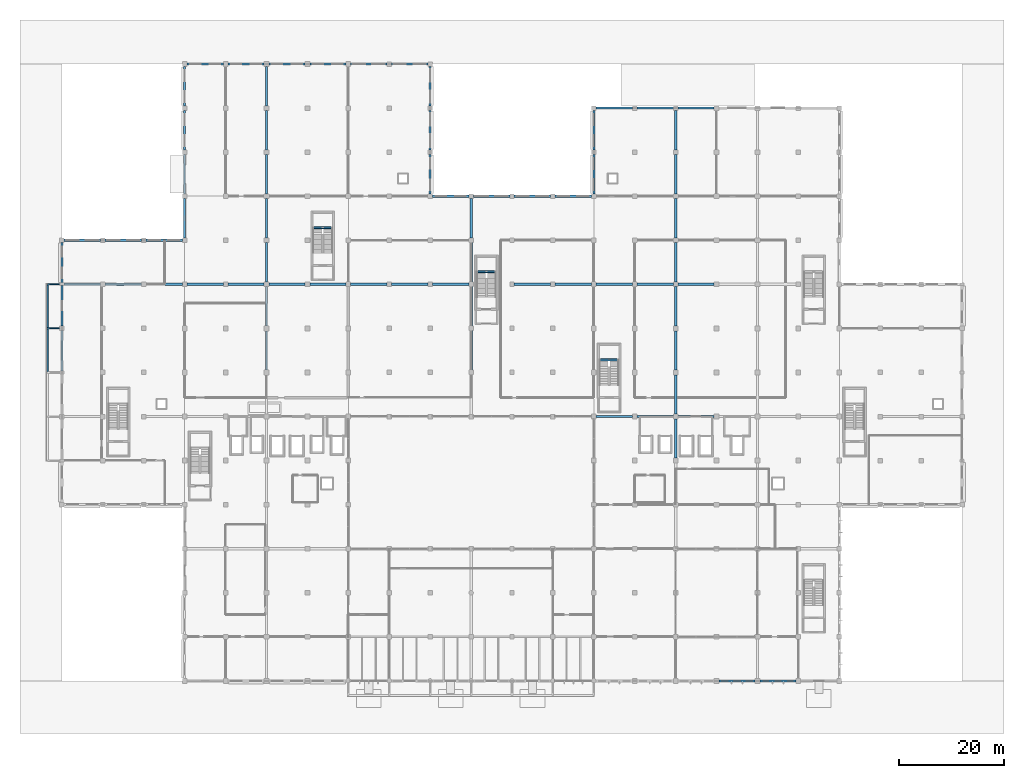
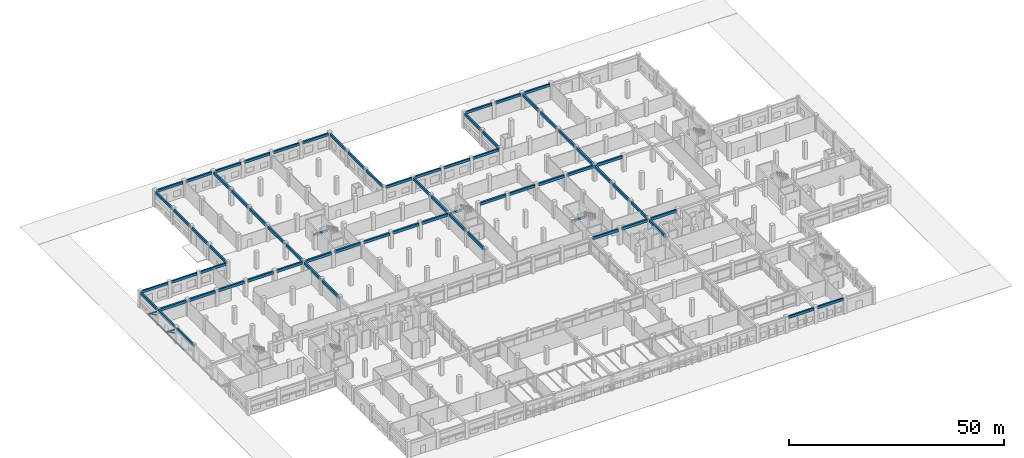
# One storey, part 32 of 74: 74 beams, 2 members.
"""IFC4 building model written with IfcOpenShell, lengths in metres."""

from ifc_helpers import new_model, si_unit, direction, frame, origin, origin_2d, place, context, subcontext, project, spatial, rectangle, hollow_rectangle, hollow_circle, i_section, extrude, material, material_profile, profile_set, type_object, element, save


model = new_model("IFC4")

# Units and contexts
model_context = context("Model", 3, precision=1e-05, world=origin(), true_north=direction((0.0, 1.0)))
body_context = subcontext(model_context, "Body", "Model", "MODEL_VIEW")
ifc_project = project(units=[si_unit("LENGTHUNIT", "METRE"), si_unit("AREAUNIT", "SQUARE_METRE"), si_unit("VOLUMEUNIT", "CUBIC_METRE"), si_unit("PLANEANGLEUNIT", "RADIAN"), si_unit("MASSUNIT", "GRAM", prefix="KILO"), si_unit("THERMODYNAMICTEMPERATUREUNIT", "KELVIN"), si_unit("POWERUNIT", "WATT")], contexts=[model_context])

# Site, building, storey
site_placement = place(None, origin())
site = spatial("IfcSite", under=ifc_project, at=site_placement, CompositionType="ELEMENT")
building_placement = place(site_placement, origin())
building = spatial("IfcBuilding", under=site, at=building_placement, Name="Srebrne Nadtorze General Hospital", CompositionType="ELEMENT")
storey_placement = place(building_placement, origin())
storey = spatial("IfcBuildingStorey", under=building, at=storey_placement, Name="L00", CompositionType="ELEMENT", Elevation=0.0)

# Members
ifc_material_1 = material(Name="Steel S355J2", Category="steel")
ifc_material_profile_1 = material_profile(ifc_material_1, hollow_circle(Radius=0.084228515625, WallThickness=0.00634765625, at=origin_2d()), Name="CHS-168.3x6.3")
ifc_profile_set_1 = profile_set([ifc_material_profile_1], Name="Steel S355J2")
member_type = type_object("IfcMemberType", Name="Canopy strut CHS 168.3x6.3", PredefinedType="STRUT", material=ifc_profile_set_1)
member_1_placement = place(storey_placement, frame((-0.43701171875, 67.199951171875, 2.85009765625), z_axis=(-0.873457554333, 0.0, 0.486900298602), x_axis=(0.0, -1.0, 0.0)))
element("IfcMember", 1, at=member_1_placement, inside=storey, type_object=member_type, Name="Emergency ambulance canopy strut 4", PredefinedType="STRUT", context=body_context, shape_type="SweptSolid", body=[
    extrude(hollow_circle(Radius=0.084228515625, WallThickness=0.00634765625, at=origin_2d()), origin(), (0.0, 0.0, 1.0), 1.9609375),
])
member_2_placement = place(storey_placement, frame((-0.386962890625, 75.60009765625, 2.85009765625), z_axis=(-0.879311089654, 0.0, 0.476247842631), x_axis=(0.0, -1.0, 0.0)))
element("IfcMember", 2, at=member_2_placement, inside=storey, type_object=member_type, Name="Emergency ambulance canopy strut 5", PredefinedType="STRUT", context=body_context, shape_type="SweptSolid", body=[
    extrude(hollow_circle(Radius=0.084228515625, WallThickness=0.00634765625, at=origin_2d()), origin(), (0.0, 0.0, 1.0), 2.0048828125),
])

# Beams
ifc_material_2 = material(Name="Concrete C40/50", Category="concrete")
ifc_material_profile_2 = material_profile(ifc_material_2, rectangle(XDim=0.39990234375, YDim=0.699951171875, at=origin_2d()), Name="RC-BM-400x700")
ifc_profile_set_2 = profile_set([ifc_material_profile_2], Name="Concrete C40/50")
beam_type_1 = type_object("IfcBeamType", Name="Edge beam RC 400x700", PredefinedType="BEAM", material=ifc_profile_set_2)
for number, where, z_axis, x_axis, name in (
    (3, (125.25, 0.0, 4.10009765625), (1.0, 0.0, 0.0), (0.0, 1.0, 0.0), "Beam BM-L00-X-0194"),
    (4, (133.050048828125, 0.0, 4.10009765625), (1.0, 0.0, 0.0), (0.0, 1.0, 0.0), "Beam BM-L00-X-0195"),
):
    element("IfcBeam", number, at=place(storey_placement, frame(where, z_axis=z_axis, x_axis=x_axis)), inside=storey, type_object=beam_type_1, Name=name, PredefinedType="BEAM", context=body_context, shape_type="SweptSolid", body=[
        extrude(rectangle(XDim=0.39990234375, YDim=0.699951171875, at=origin_2d()), origin(), (0.0, 0.0, 1.0), 6.89990234375),
    ])
for number, where, z_axis, x_axis, name in (
    (5, (0.425048828125, 84.0, 4.10009765625), (1.0, 0.0, 0.0), (0.0, 1.0, 0.0), "Beam BM-L00-X-0261"),
    (6, (8.22509765625, 84.0, 4.10009765625), (1.0, 0.0, 0.0), (0.0, 1.0, 0.0), "Beam BM-L00-X-0262"),
):
    element("IfcBeam", number, at=place(storey_placement, frame(where, z_axis=z_axis, x_axis=x_axis)), inside=storey, type_object=beam_type_1, Name=name, PredefinedType="BEAM", context=body_context, shape_type="SweptSolid", body=[
        extrude(rectangle(XDim=0.39990234375, YDim=0.699951171875, at=origin_2d()), origin(), (0.0, 0.0, 1.0), 6.949951171875),
    ])
beam_1_placement = place(storey_placement, frame((16.02490234375, 84.0, 4.10009765625), z_axis=(1.0, 0.0, 0.0), x_axis=(0.0, 1.0, 0.0)))
element("IfcBeam", 7, at=beam_1_placement, inside=storey, type_object=beam_type_1, Name="Beam BM-L00-X-0263", PredefinedType="BEAM", context=body_context, shape_type="SweptSolid", body=[
    extrude(rectangle(XDim=0.39990234375, YDim=0.699951171875, at=origin_2d()), origin(), (0.0, 0.0, 1.0), 6.925048828125),
])
for number, where, z_axis, x_axis, name in (
    (8, (70.625, 92.39990234375, 4.10009765625), (1.0, 0.0, 0.0), (0.0, 1.0, 0.0), "Beam BM-L00-X-0264"),
    (9, (78.425048828125, 92.39990234375, 4.10009765625), (1.0, 0.0, 0.0), (0.0, 1.0, 0.0), "Beam BM-L00-X-0265"),
    (10, (86.22509765625, 92.39990234375, 4.10009765625), (1.0, 0.0, 0.0), (0.0, 1.0, 0.0), "Beam BM-L00-X-0266"),
):
    element("IfcBeam", number, at=place(storey_placement, frame(where, z_axis=z_axis, x_axis=x_axis)), inside=storey, type_object=beam_type_1, Name=name, PredefinedType="BEAM", context=body_context, shape_type="SweptSolid", body=[
        extrude(rectangle(XDim=0.39990234375, YDim=0.699951171875, at=origin_2d()), origin(), (0.0, 0.0, 1.0), 6.949951171875),
    ])
beam_2_placement = place(storey_placement, frame((94.02490234375, 92.39990234375, 4.10009765625), z_axis=(1.0, 0.0, 0.0), x_axis=(0.0, 1.0, 0.0)))
element("IfcBeam", 11, at=beam_2_placement, inside=storey, type_object=beam_type_1, Name="Beam BM-L00-X-0267", PredefinedType="BEAM", context=body_context, shape_type="SweptSolid", body=[
    extrude(rectangle(XDim=0.39990234375, YDim=0.699951171875, at=origin_2d()), origin(), (0.0, 0.0, 1.0), 6.925048828125),
])
beam_3_placement = place(storey_placement, frame((101.85009765625, 109.199951171875, 4.10009765625), z_axis=(1.0, 0.0, 0.0), x_axis=(0.0, 1.0, 0.0)))
element("IfcBeam", 12, at=beam_3_placement, inside=storey, type_object=beam_type_1, Name="Beam BM-L00-X-0268", PredefinedType="BEAM", context=body_context, shape_type="SweptSolid", body=[
    extrude(rectangle(XDim=0.39990234375, YDim=0.699951171875, at=origin_2d()), origin(), (0.0, 0.0, 1.0), 6.89990234375),
])
for number, where, z_axis, x_axis, name in (
    (13, (109.64990234375, 109.199951171875, 4.10009765625), (1.0, 0.0, 0.0), (0.0, 1.0, 0.0), "Beam BM-L00-X-0269"),
    (14, (117.449951171875, 109.199951171875, 4.10009765625), (1.0, 0.0, 0.0), (0.0, 1.0, 0.0), "Beam BM-L00-X-0270"),
):
    element("IfcBeam", number, at=place(storey_placement, frame(where, z_axis=z_axis, x_axis=x_axis)), inside=storey, type_object=beam_type_1, Name=name, PredefinedType="BEAM", context=body_context, shape_type="SweptSolid", body=[
        extrude(rectangle(XDim=0.39990234375, YDim=0.699951171875, at=origin_2d()), origin(), (0.0, 0.0, 1.0), 6.900146484375),
    ])
beam_4_placement = place(storey_placement, frame((23.85009765625, 117.60009765625, 4.10009765625), z_axis=(1.0, 0.0, 0.0), x_axis=(0.0, 1.0, 0.0)))
element("IfcBeam", 15, at=beam_4_placement, inside=storey, type_object=beam_type_1, Name="Beam BM-L00-X-0274", PredefinedType="BEAM", context=body_context, shape_type="SweptSolid", body=[
    extrude(rectangle(XDim=0.39990234375, YDim=0.699951171875, at=origin_2d()), origin(), (0.0, 0.0, 1.0), 6.89990234375),
])
for number, where, z_axis, x_axis, name in (
    (16, (31.64990234375, 117.60009765625, 4.10009765625), (1.0, 0.0, 0.0), (0.0, 1.0, 0.0), "Beam BM-L00-X-0275"),
    (17, (39.449951171875, 117.60009765625, 4.10009765625), (1.0, 0.0, 0.0), (0.0, 1.0, 0.0), "Beam BM-L00-X-0276"),
):
    element("IfcBeam", number, at=place(storey_placement, frame(where, z_axis=z_axis, x_axis=x_axis)), inside=storey, type_object=beam_type_1, Name=name, PredefinedType="BEAM", context=body_context, shape_type="SweptSolid", body=[
        extrude(rectangle(XDim=0.39990234375, YDim=0.699951171875, at=origin_2d()), origin(), (0.0, 0.0, 1.0), 6.900146484375),
    ])
beam_5_placement = place(storey_placement, frame((47.25, 117.60009765625, 4.10009765625), z_axis=(1.0, 0.0, 0.0), x_axis=(0.0, 1.0, 0.0)))
element("IfcBeam", 18, at=beam_5_placement, inside=storey, type_object=beam_type_1, Name="Beam BM-L00-X-0277", PredefinedType="BEAM", context=body_context, shape_type="SweptSolid", body=[
    extrude(rectangle(XDim=0.39990234375, YDim=0.699951171875, at=origin_2d()), origin(), (0.0, 0.0, 1.0), 6.89990234375),
])
beam_6_placement = place(storey_placement, frame((55.050048828125, 117.60009765625, 4.10009765625), z_axis=(1.0, 0.0, 0.0), x_axis=(0.0, 1.0, 0.0)))
element("IfcBeam", 19, at=beam_6_placement, inside=storey, type_object=beam_type_1, Name="Beam BM-L00-X-0278", PredefinedType="BEAM", context=body_context, shape_type="SweptSolid", body=[
    extrude(rectangle(XDim=0.39990234375, YDim=0.699951171875, at=origin_2d()), origin(), (0.0, 0.0, 1.0), 6.925048828125),
])
beam_7_placement = place(storey_placement, frame((62.824951171875, 117.60009765625, 4.10009765625), z_axis=(1.0, 0.0, 0.0), x_axis=(0.0, 1.0, 0.0)))
element("IfcBeam", 20, at=beam_7_placement, inside=storey, type_object=beam_type_1, Name="Beam BM-L00-X-0279", PredefinedType="BEAM", context=body_context, shape_type="SweptSolid", body=[
    extrude(rectangle(XDim=0.39990234375, YDim=0.699951171875, at=origin_2d()), origin(), (0.0, 0.0, 1.0), 6.949951171875),
])
beam_8_placement = place(storey_placement, frame((0.0, 59.050048828125, 4.10009765625), z_axis=(0.0, 1.0, 0.0), x_axis=(-1.0, 0.0, 0.0)))
element("IfcBeam", 21, at=beam_8_placement, inside=storey, type_object=beam_type_1, Name="Beam BM-L00-Y-0283", PredefinedType="BEAM", context=body_context, shape_type="SweptSolid", body=[
    extrude(rectangle(XDim=0.39990234375, YDim=0.699951171875, at=origin_2d()), origin(), (0.0, 0.0, 1.0), 7.724853515625),
])
beam_9_placement = place(storey_placement, frame((0.0, 67.625, 4.10009765625), z_axis=(0.0, 1.0, 0.0), x_axis=(-1.0, 0.0, 0.0)))
element("IfcBeam", 22, at=beam_9_placement, inside=storey, type_object=beam_type_1, Name="Beam BM-L00-Y-0284", PredefinedType="BEAM", context=body_context, shape_type="SweptSolid", body=[
    extrude(rectangle(XDim=0.39990234375, YDim=0.699951171875, at=origin_2d()), origin(), (0.0, 0.0, 1.0), 7.72509765625),
])
beam_10_placement = place(storey_placement, frame((0.0, 75.85009765625, 4.10009765625), z_axis=(0.0, 1.0, 0.0), x_axis=(-1.0, 0.0, 0.0)))
element("IfcBeam", 23, at=beam_10_placement, inside=storey, type_object=beam_type_1, Name="Beam BM-L00-Y-0285", PredefinedType="BEAM", context=body_context, shape_type="SweptSolid", body=[
    extrude(rectangle(XDim=0.39990234375, YDim=0.699951171875, at=origin_2d()), origin(), (0.0, 0.0, 1.0), 7.724853515625),
])
for number, where, z_axis, x_axis, name in (
    (24, (23.39990234375, 84.449951171875, 4.10009765625), (0.0, 1.0, 0.0), (-1.0, 0.0, 0.0), "Beam BM-L00-Y-0290"),
    (25, (23.39990234375, 92.85009765625, 4.10009765625), (0.0, 1.0, 0.0), (-1.0, 0.0, 0.0), "Beam BM-L00-Y-0291"),
    (26, (23.39990234375, 101.25, 4.10009765625), (0.0, 1.0, 0.0), (-1.0, 0.0, 0.0), "Beam BM-L00-Y-0292"),
    (27, (23.39990234375, 109.64990234375, 4.10009765625), (0.0, 1.0, 0.0), (-1.0, 0.0, 0.0), "Beam BM-L00-Y-0293"),
):
    element("IfcBeam", number, at=place(storey_placement, frame(where, z_axis=z_axis, x_axis=x_axis)), inside=storey, type_object=beam_type_1, Name=name, PredefinedType="BEAM", context=body_context, shape_type="SweptSolid", body=[
        extrude(rectangle(XDim=0.39990234375, YDim=0.699951171875, at=origin_2d()), origin(), (0.0, 0.0, 1.0), 7.5),
    ])
beam_11_placement = place(storey_placement, frame((70.199951171875, 92.824951171875, 4.10009765625), z_axis=(0.0, 1.0, 0.0), x_axis=(-1.0, 0.0, 0.0)))
element("IfcBeam", 28, at=beam_11_placement, inside=storey, type_object=beam_type_1, Name="Beam BM-L00-Y-0311", PredefinedType="BEAM", context=body_context, shape_type="SweptSolid", body=[
    extrude(rectangle(XDim=0.39990234375, YDim=0.699951171875, at=origin_2d()), origin(), (0.0, 0.0, 1.0), 7.550048828125),
])
beam_12_placement = place(storey_placement, frame((70.199951171875, 101.22509765625, 4.10009765625), z_axis=(0.0, 1.0, 0.0), x_axis=(-1.0, 0.0, 0.0)))
element("IfcBeam", 29, at=beam_12_placement, inside=storey, type_object=beam_type_1, Name="Beam BM-L00-Y-0312", PredefinedType="BEAM", context=body_context, shape_type="SweptSolid", body=[
    extrude(rectangle(XDim=0.39990234375, YDim=0.699951171875, at=origin_2d()), origin(), (0.0, 0.0, 1.0), 7.5498046875),
])
beam_13_placement = place(storey_placement, frame((70.199951171875, 109.625, 4.10009765625), z_axis=(0.0, 1.0, 0.0), x_axis=(-1.0, 0.0, 0.0)))
element("IfcBeam", 30, at=beam_13_placement, inside=storey, type_object=beam_type_1, Name="Beam BM-L00-Y-0313", PredefinedType="BEAM", context=body_context, shape_type="SweptSolid", body=[
    extrude(rectangle(XDim=0.39990234375, YDim=0.699951171875, at=origin_2d()), origin(), (0.0, 0.0, 1.0), 7.550048828125),
])
for number, where, z_axis, x_axis, name in (
    (31, (101.39990234375, 92.85009765625, 4.10009765625), (0.0, 1.0, 0.0), (-1.0, 0.0, 0.0), "Beam BM-L00-Y-0325"),
    (32, (101.39990234375, 101.25, 4.10009765625), (0.0, 1.0, 0.0), (-1.0, 0.0, 0.0), "Beam BM-L00-Y-0326"),
):
    element("IfcBeam", number, at=place(storey_placement, frame(where, z_axis=z_axis, x_axis=x_axis)), inside=storey, type_object=beam_type_1, Name=name, PredefinedType="BEAM", context=body_context, shape_type="SweptSolid", body=[
        extrude(rectangle(XDim=0.39990234375, YDim=0.699951171875, at=origin_2d()), origin(), (0.0, 0.0, 1.0), 7.5),
    ])
ifc_material_3 = material(Name="Steel S355J2", Category="steel")
ifc_material_profile_3 = material_profile(ifc_material_3, hollow_rectangle(XDim=0.14990234375, YDim=0.25, WallThickness=0.010009765625, InnerFilletRadius=0.010009765625, OuterFilletRadius=0.014892578125, at=origin_2d()), Name="RHS-250x150x10")
ifc_profile_set_3 = profile_set([ifc_material_profile_3], Name="Steel S355J2")
beam_type_2 = type_object("IfcBeamType", Name="Hollow canopy beam RHS 250x150x10", PredefinedType="HOLLOWCORE", material=ifc_profile_set_3)
beam_14_placement = place(storey_placement, frame((-2.719970703125, 58.93994140625, 3.875), z_axis=(0.0, 1.0, 0.0), x_axis=(-1.0, 0.0, 0.0)))
element("IfcBeam", 33, at=beam_14_placement, inside=storey, type_object=beam_type_2, Name="Emergency ambulance canopy fascia beam 3", PredefinedType="HOLLOWCORE", context=body_context, shape_type="SweptSolid", body=[
    extrude(hollow_rectangle(XDim=0.14990234375, YDim=0.25, WallThickness=0.010009765625, InnerFilletRadius=0.010009765625, OuterFilletRadius=0.014892578125, at=origin_2d()), origin(), (0.0, 0.0, 1.0), 8.1201171875),
])
beam_15_placement = place(storey_placement, frame((-2.719970703125, 67.340087890625, 3.875), z_axis=(0.0, 1.0, 0.0), x_axis=(-1.0, 0.0, 0.0)))
element("IfcBeam", 34, at=beam_15_placement, inside=storey, type_object=beam_type_2, Name="Emergency ambulance canopy fascia beam 4", PredefinedType="HOLLOWCORE", context=body_context, shape_type="SweptSolid", body=[
    extrude(hollow_rectangle(XDim=0.14990234375, YDim=0.25, WallThickness=0.010009765625, InnerFilletRadius=0.010009765625, OuterFilletRadius=0.014892578125, at=origin_2d()), origin(), (0.0, 0.0, 1.0), 8.119873046875),
])
ifc_material_4 = material(Name="Steel S355J2", Category="steel")
ifc_material_profile_4 = material_profile(ifc_material_4, i_section(OverallWidth=0.300048828125, OverallDepth=0.2900390625, WebThickness=0.008544921875, FlangeThickness=0.013916015625, FilletRadius=0.027099609375, at=origin_2d()), Name="HEA-300")
ifc_profile_set_4 = profile_set([ifc_material_profile_4], Name="Steel S355J2")
beam_type_3 = type_object("IfcBeamType", Name="Primary beam HEA 300", PredefinedType="BEAM", material=ifc_profile_set_4)
beam_16_placement = place(storey_placement, frame((-0.4150390625, 67.199951171875, 3.85498046875), z_axis=(-1.0, 0.0, 0.0), x_axis=(0.0, -1.0, 0.0)))
element("IfcBeam", 35, at=beam_16_placement, inside=storey, type_object=beam_type_3, Name="Emergency ambulance canopy girder 4", PredefinedType="BEAM", context=body_context, shape_type="SweptSolid", body=[
    extrude(i_section(OverallWidth=0.300048828125, OverallDepth=0.2900390625, WebThickness=0.008544921875, FlangeThickness=0.013916015625, FilletRadius=0.027099609375, at=origin_2d()), origin(), (0.0, 0.0, 1.0), 2.385009765625),
])
beam_17_placement = place(storey_placement, frame((-0.364990234375, 75.60009765625, 3.85498046875), z_axis=(-1.0, 0.0, 0.0), x_axis=(0.0, -1.0, 0.0)))
element("IfcBeam", 36, at=beam_17_placement, inside=storey, type_object=beam_type_3, Name="Emergency ambulance canopy girder 5", PredefinedType="BEAM", context=body_context, shape_type="SweptSolid", body=[
    extrude(i_section(OverallWidth=0.300048828125, OverallDepth=0.2900390625, WebThickness=0.008544921875, FlangeThickness=0.013916015625, FilletRadius=0.027099609375, at=origin_2d()), origin(), (0.0, 0.0, 1.0), 2.43505859375),
])
ifc_material_5 = material(Name="Concrete C40/50", Category="concrete")
ifc_material_profile_5 = material_profile(ifc_material_5, rectangle(XDim=0.449951171875, YDim=0.75, at=origin_2d()), Name="RC-BM-450x750")
ifc_profile_set_5 = profile_set([ifc_material_profile_5], Name="Concrete C40/50")
beam_type_4 = type_object("IfcBeamType", Name="Primary beam RC 450x750", PredefinedType="BEAM", material=ifc_profile_set_5)
beam_18_placement = place(storey_placement, frame((101.85009765625, 50.39990234375, 4.074951171875), z_axis=(1.0, 0.0, 0.0), x_axis=(0.0, 1.0, 0.0)))
element("IfcBeam", 37, at=beam_18_placement, inside=storey, type_object=beam_type_4, Name="Beam BM-L00-X-0233", PredefinedType="BEAM", context=body_context, shape_type="SweptSolid", body=[
    extrude(rectangle(XDim=0.449951171875, YDim=0.75, at=origin_2d()), origin(), (0.0, 0.0, 1.0), 6.89990234375),
])
for number, where, z_axis, x_axis, name in (
    (38, (109.64990234375, 50.39990234375, 4.074951171875), (1.0, 0.0, 0.0), (0.0, 1.0, 0.0), "Beam BM-L00-X-0234"),
    (39, (117.449951171875, 50.39990234375, 4.074951171875), (1.0, 0.0, 0.0), (0.0, 1.0, 0.0), "Beam BM-L00-X-0235"),
):
    element("IfcBeam", number, at=place(storey_placement, frame(where, z_axis=z_axis, x_axis=x_axis)), inside=storey, type_object=beam_type_4, Name=name, PredefinedType="BEAM", context=body_context, shape_type="SweptSolid", body=[
        extrude(rectangle(XDim=0.449951171875, YDim=0.75, at=origin_2d()), origin(), (0.0, 0.0, 1.0), 6.900146484375),
    ])
beam_19_placement = place(storey_placement, frame((0.375, 75.60009765625, 4.074951171875), z_axis=(1.0, 0.0, 0.0), x_axis=(0.0, 1.0, 0.0)))
element("IfcBeam", 40, at=beam_19_placement, inside=storey, type_object=beam_type_4, Name="Beam BM-L00-X-0241", PredefinedType="BEAM", context=body_context, shape_type="SweptSolid", body=[
    extrude(rectangle(XDim=0.449951171875, YDim=0.75, at=origin_2d()), origin(), (0.0, 0.0, 1.0), 7.0),
])
beam_20_placement = place(storey_placement, frame((8.22509765625, 75.60009765625, 4.074951171875), z_axis=(1.0, 0.0, 0.0), x_axis=(0.0, 1.0, 0.0)))
element("IfcBeam", 41, at=beam_20_placement, inside=storey, type_object=beam_type_4, Name="Beam BM-L00-X-0242", PredefinedType="BEAM", context=body_context, shape_type="SweptSolid", body=[
    extrude(rectangle(XDim=0.449951171875, YDim=0.75, at=origin_2d()), origin(), (0.0, 0.0, 1.0), 6.949951171875),
])
beam_21_placement = place(storey_placement, frame((16.02490234375, 75.60009765625, 4.074951171875), z_axis=(1.0, 0.0, 0.0), x_axis=(0.0, 1.0, 0.0)))
element("IfcBeam", 42, at=beam_21_placement, inside=storey, type_object=beam_type_4, Name="Beam BM-L00-X-0243", PredefinedType="BEAM", context=body_context, shape_type="SweptSolid", body=[
    extrude(rectangle(XDim=0.449951171875, YDim=0.75, at=origin_2d()), origin(), (0.0, 0.0, 1.0), 6.925048828125),
])
beam_22_placement = place(storey_placement, frame((23.85009765625, 75.60009765625, 4.074951171875), z_axis=(1.0, 0.0, 0.0), x_axis=(0.0, 1.0, 0.0)))
element("IfcBeam", 43, at=beam_22_placement, inside=storey, type_object=beam_type_4, Name="Beam BM-L00-X-0244", PredefinedType="BEAM", context=body_context, shape_type="SweptSolid", body=[
    extrude(rectangle(XDim=0.449951171875, YDim=0.75, at=origin_2d()), origin(), (0.0, 0.0, 1.0), 6.89990234375),
])
for number, where, z_axis, x_axis, name in (
    (44, (31.64990234375, 75.60009765625, 4.074951171875), (1.0, 0.0, 0.0), (0.0, 1.0, 0.0), "Beam BM-L00-X-0245"),
    (45, (39.449951171875, 75.60009765625, 4.074951171875), (1.0, 0.0, 0.0), (0.0, 1.0, 0.0), "Beam BM-L00-X-0246"),
):
    element("IfcBeam", number, at=place(storey_placement, frame(where, z_axis=z_axis, x_axis=x_axis)), inside=storey, type_object=beam_type_4, Name=name, PredefinedType="BEAM", context=body_context, shape_type="SweptSolid", body=[
        extrude(rectangle(XDim=0.449951171875, YDim=0.75, at=origin_2d()), origin(), (0.0, 0.0, 1.0), 6.900146484375),
    ])
beam_23_placement = place(storey_placement, frame((47.25, 75.60009765625, 4.074951171875), z_axis=(1.0, 0.0, 0.0), x_axis=(0.0, 1.0, 0.0)))
element("IfcBeam", 46, at=beam_23_placement, inside=storey, type_object=beam_type_4, Name="Beam BM-L00-X-0247", PredefinedType="BEAM", context=body_context, shape_type="SweptSolid", body=[
    extrude(rectangle(XDim=0.449951171875, YDim=0.75, at=origin_2d()), origin(), (0.0, 0.0, 1.0), 6.89990234375),
])
beam_24_placement = place(storey_placement, frame((55.050048828125, 75.60009765625, 4.074951171875), z_axis=(1.0, 0.0, 0.0), x_axis=(0.0, 1.0, 0.0)))
element("IfcBeam", 47, at=beam_24_placement, inside=storey, type_object=beam_type_4, Name="Beam BM-L00-X-0248", PredefinedType="BEAM", context=body_context, shape_type="SweptSolid", body=[
    extrude(rectangle(XDim=0.449951171875, YDim=0.75, at=origin_2d()), origin(), (0.0, 0.0, 1.0), 6.925048828125),
])
for number, where, z_axis, x_axis, name in (
    (48, (62.824951171875, 75.60009765625, 4.074951171875), (1.0, 0.0, 0.0), (0.0, 1.0, 0.0), "Beam BM-L00-X-0249"),
    (49, (70.625, 75.60009765625, 4.074951171875), (1.0, 0.0, 0.0), (0.0, 1.0, 0.0), "Beam BM-L00-X-0250"),
    (50, (86.22509765625, 75.60009765625, 4.074951171875), (1.0, 0.0, 0.0), (0.0, 1.0, 0.0), "Beam BM-L00-X-0251"),
):
    element("IfcBeam", number, at=place(storey_placement, frame(where, z_axis=z_axis, x_axis=x_axis)), inside=storey, type_object=beam_type_4, Name=name, PredefinedType="BEAM", context=body_context, shape_type="SweptSolid", body=[
        extrude(rectangle(XDim=0.449951171875, YDim=0.75, at=origin_2d()), origin(), (0.0, 0.0, 1.0), 6.949951171875),
    ])
beam_25_placement = place(storey_placement, frame((94.02490234375, 75.60009765625, 4.074951171875), z_axis=(1.0, 0.0, 0.0), x_axis=(0.0, 1.0, 0.0)))
element("IfcBeam", 51, at=beam_25_placement, inside=storey, type_object=beam_type_4, Name="Beam BM-L00-X-0252", PredefinedType="BEAM", context=body_context, shape_type="SweptSolid", body=[
    extrude(rectangle(XDim=0.449951171875, YDim=0.75, at=origin_2d()), origin(), (0.0, 0.0, 1.0), 6.925048828125),
])
beam_26_placement = place(storey_placement, frame((101.85009765625, 75.60009765625, 4.074951171875), z_axis=(1.0, 0.0, 0.0), x_axis=(0.0, 1.0, 0.0)))
element("IfcBeam", 52, at=beam_26_placement, inside=storey, type_object=beam_type_4, Name="Beam BM-L00-X-0253", PredefinedType="BEAM", context=body_context, shape_type="SweptSolid", body=[
    extrude(rectangle(XDim=0.449951171875, YDim=0.75, at=origin_2d()), origin(), (0.0, 0.0, 1.0), 6.89990234375),
])
for number, where, z_axis, x_axis, name in (
    (53, (109.64990234375, 75.60009765625, 4.074951171875), (1.0, 0.0, 0.0), (0.0, 1.0, 0.0), "Beam BM-L00-X-0254"),
    (54, (117.449951171875, 75.60009765625, 4.074951171875), (1.0, 0.0, 0.0), (0.0, 1.0, 0.0), "Beam BM-L00-X-0255"),
):
    element("IfcBeam", number, at=place(storey_placement, frame(where, z_axis=z_axis, x_axis=x_axis)), inside=storey, type_object=beam_type_4, Name=name, PredefinedType="BEAM", context=body_context, shape_type="SweptSolid", body=[
        extrude(rectangle(XDim=0.449951171875, YDim=0.75, at=origin_2d()), origin(), (0.0, 0.0, 1.0), 6.900146484375),
    ])
for number, where, z_axis, x_axis, name in (
    (55, (39.0, 59.25, 4.074951171875), (0.0, 1.0, 0.0), (-1.0, 0.0, 0.0), "Beam BM-L00-Y-0301"),
    (56, (39.0, 67.64990234375, 4.074951171875), (0.0, 1.0, 0.0), (-1.0, 0.0, 0.0), "Beam BM-L00-Y-0302"),
    (57, (39.0, 76.050048828125, 4.074951171875), (0.0, 1.0, 0.0), (-1.0, 0.0, 0.0), "Beam BM-L00-Y-0303"),
    (58, (39.0, 84.449951171875, 4.074951171875), (0.0, 1.0, 0.0), (-1.0, 0.0, 0.0), "Beam BM-L00-Y-0304"),
    (59, (39.0, 92.85009765625, 4.074951171875), (0.0, 1.0, 0.0), (-1.0, 0.0, 0.0), "Beam BM-L00-Y-0305"),
    (60, (39.0, 101.25, 4.074951171875), (0.0, 1.0, 0.0), (-1.0, 0.0, 0.0), "Beam BM-L00-Y-0306"),
    (61, (39.0, 109.64990234375, 4.074951171875), (0.0, 1.0, 0.0), (-1.0, 0.0, 0.0), "Beam BM-L00-Y-0307"),
):
    element("IfcBeam", number, at=place(storey_placement, frame(where, z_axis=z_axis, x_axis=x_axis)), inside=storey, type_object=beam_type_4, Name=name, PredefinedType="BEAM", context=body_context, shape_type="SweptSolid", body=[
        extrude(rectangle(XDim=0.449951171875, YDim=0.75, at=origin_2d()), origin(), (0.0, 0.0, 1.0), 7.5),
    ])
beam_27_placement = place(storey_placement, frame((78.0, 59.22509765625, 4.074951171875), z_axis=(0.0, 1.0, 0.0), x_axis=(-1.0, 0.0, 0.0)))
element("IfcBeam", 62, at=beam_27_placement, inside=storey, type_object=beam_type_4, Name="Beam BM-L00-Y-0318", PredefinedType="BEAM", context=body_context, shape_type="SweptSolid", body=[
    extrude(rectangle(XDim=0.449951171875, YDim=0.75, at=origin_2d()), origin(), (0.0, 0.0, 1.0), 7.5498046875),
])
for number, where, z_axis, x_axis, name in (
    (63, (78.0, 67.625, 4.074951171875), (0.0, 1.0, 0.0), (-1.0, 0.0, 0.0), "Beam BM-L00-Y-0319"),
    (64, (78.0, 76.02490234375, 4.074951171875), (0.0, 1.0, 0.0), (-1.0, 0.0, 0.0), "Beam BM-L00-Y-0320"),
    (65, (78.0, 84.425048828125, 4.074951171875), (0.0, 1.0, 0.0), (-1.0, 0.0, 0.0), "Beam BM-L00-Y-0321"),
):
    element("IfcBeam", number, at=place(storey_placement, frame(where, z_axis=z_axis, x_axis=x_axis)), inside=storey, type_object=beam_type_4, Name=name, PredefinedType="BEAM", context=body_context, shape_type="SweptSolid", body=[
        extrude(rectangle(XDim=0.449951171875, YDim=0.75, at=origin_2d()), origin(), (0.0, 0.0, 1.0), 7.550048828125),
    ])
for number, where, z_axis, x_axis, name in (
    (66, (117.0, 42.449951171875, 4.074951171875), (0.0, 1.0, 0.0), (-1.0, 0.0, 0.0), "Beam BM-L00-Y-0332"),
    (67, (117.0, 50.85009765625, 4.074951171875), (0.0, 1.0, 0.0), (-1.0, 0.0, 0.0), "Beam BM-L00-Y-0333"),
    (68, (117.0, 59.25, 4.074951171875), (0.0, 1.0, 0.0), (-1.0, 0.0, 0.0), "Beam BM-L00-Y-0334"),
    (69, (117.0, 67.64990234375, 4.074951171875), (0.0, 1.0, 0.0), (-1.0, 0.0, 0.0), "Beam BM-L00-Y-0335"),
    (70, (117.0, 76.050048828125, 4.074951171875), (0.0, 1.0, 0.0), (-1.0, 0.0, 0.0), "Beam BM-L00-Y-0336"),
    (71, (117.0, 84.449951171875, 4.074951171875), (0.0, 1.0, 0.0), (-1.0, 0.0, 0.0), "Beam BM-L00-Y-0337"),
    (72, (117.0, 92.85009765625, 4.074951171875), (0.0, 1.0, 0.0), (-1.0, 0.0, 0.0), "Beam BM-L00-Y-0338"),
    (73, (117.0, 101.25, 4.074951171875), (0.0, 1.0, 0.0), (-1.0, 0.0, 0.0), "Beam BM-L00-Y-0339"),
):
    element("IfcBeam", number, at=place(storey_placement, frame(where, z_axis=z_axis, x_axis=x_axis)), inside=storey, type_object=beam_type_4, Name=name, PredefinedType="BEAM", context=body_context, shape_type="SweptSolid", body=[
        extrude(rectangle(XDim=0.449951171875, YDim=0.75, at=origin_2d()), origin(), (0.0, 0.0, 1.0), 7.5),
    ])
ifc_material_6 = material(Name="Concrete C35/45", Category="concrete")
ifc_material_profile_6 = material_profile(ifc_material_6, rectangle(XDim=0.35009765625, YDim=0.550048828125, at=origin_2d()), Name="RC-BM-350x550")
ifc_profile_set_6 = profile_set([ifc_material_profile_6], Name="Concrete C35/45")
beam_type_5 = type_object("IfcBeamType", Name="Spandrel lintel beam RC 350x550", PredefinedType="LINTEL", material=ifc_profile_set_6)
for number, where, z_axis, x_axis, name in (
    (74, (47.85009765625, 86.39990234375, 2.125), (1.0, 0.0, 0.0), (0.0, 1.0, 0.0), "Stair landing header beam ST-02 L00"),
    (75, (102.449951171875, 61.199951171875, 2.125), (1.0, 0.0, 0.0), (0.0, 1.0, 0.0), "Stair landing header beam ST-03 L00"),
    (76, (79.050048828125, 78.0, 2.125), (1.0, 0.0, 0.0), (0.0, 1.0, 0.0), "Stair landing header beam ST-07 L00"),
):
    element("IfcBeam", number, at=place(storey_placement, frame(where, z_axis=z_axis, x_axis=x_axis)), inside=storey, type_object=beam_type_5, Name=name, PredefinedType="LINTEL", context=body_context, shape_type="SweptSolid", body=[
        extrude(rectangle(XDim=0.35009765625, YDim=0.550048828125, at=origin_2d()), origin(), (0.0, 0.0, 1.0), 3.75),
    ])

save(model, "model.ifc")
